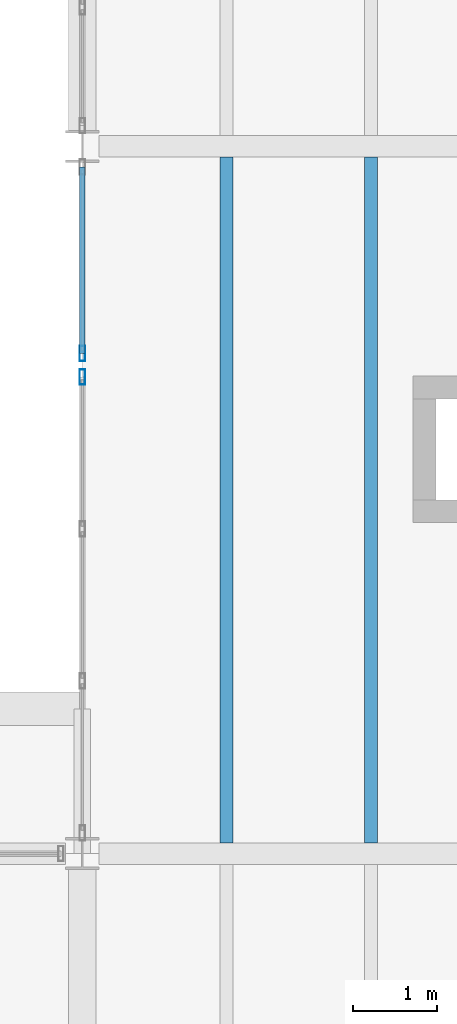
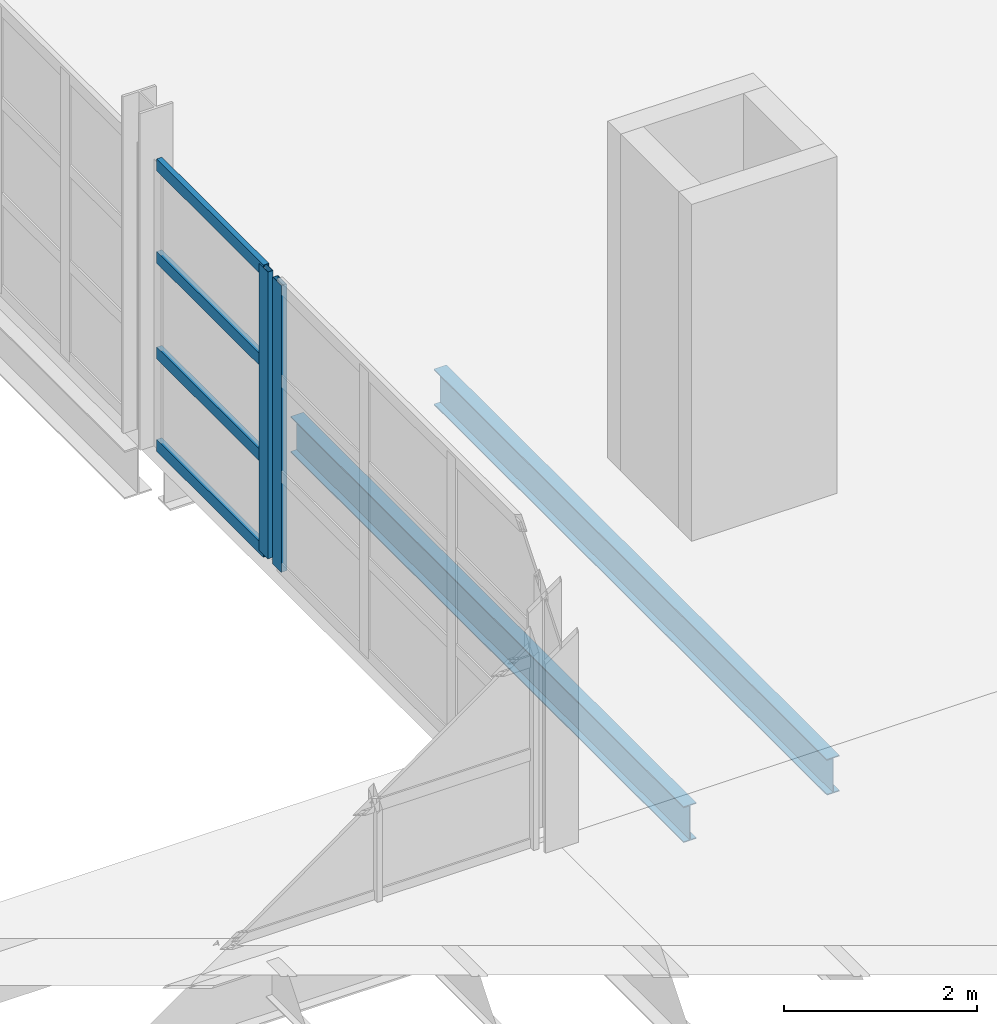
# One storey, part 49 of 114: 6 members, 2 beams, 2 elements without a shape of their own.
"""IFC4 building model written with IfcOpenShell, lengths in metres."""

import ifcopenshell
import ifcopenshell.guid

model = None  # the IFC model being written
_history = None  # IfcOwnerHistory: only IFC2X3 demands one
_inside = {}  # id of a spatial element -> (the spatial element, [elements in it])
_under = {}  # id of a project, library or spatial element -> (it, [spatial elements below it])
_declared = {}  # id of a project -> (the project, [libraries it declares])
_typed = {}  # id of a type object -> (the type object, [elements of that type])
_made_of = {}  # id of a material, layer set ... -> (it, [elements and type objects made of it])


def new_model(schema):
    """Start an empty IFC model of exactly this schema.

    Asked for "IFC4X3", IfcOpenShell would pick the latest addendum, in which some entities
    have other attributes; the version numbers below select the first issue.
    IFC2X3 requires an IfcOwnerHistory on every rooted entity: one is made here for all.
    """
    global model, _history
    if schema == "IFC4X3":
        model = ifcopenshell.file(schema_version=(4, 3, 0, 0))
    else:
        model = ifcopenshell.file(schema=schema)
    _inside.clear()
    _under.clear()
    _declared.clear()
    _typed.clear()
    _made_of.clear()
    _history = None
    if model.schema == "IFC2X3":
        org = make("IfcOrganization", Name="unknown")
        user = make(
            "IfcPersonAndOrganization",
            ThePerson=make("IfcPerson", FamilyName="unknown"),
            TheOrganization=org,
        )
        app = make(
            "IfcApplication",
            ApplicationDeveloper=org,
            Version="unknown",
            ApplicationFullName="unknown",
            ApplicationIdentifier="unknown",
        )
        _history = make(
            "IfcOwnerHistory",
            OwningUser=user,
            OwningApplication=app,
            ChangeAction="ADDED",
            CreationDate=0,
        )
    return model


def make(cls, **values):
    """One entity of the class cls with the attributes given. An attribute that is None is left unset."""
    return model.create_entity(
        cls, **{name: value for name, value in values.items() if value is not None}
    )


def rooted(cls, **values):
    """An entity with a GlobalId (a new one), such as an element, a storey or a relation."""
    return make(cls, GlobalId=ifcopenshell.guid.new(), OwnerHistory=_history, **values)


def si_unit(unit_type, name, prefix=None):
    """IfcSIUnit, for example si_unit("LENGTHUNIT", "METRE", prefix="MILLI")."""
    return make("IfcSIUnit", UnitType=unit_type, Prefix=prefix, Name=name)


def assignment(units):
    """IfcUnitAssignment: the units of a project."""
    return None if units is None else make("IfcUnitAssignment", Units=units)


def point(xyz):
    """IfcCartesianPoint."""
    return None if xyz is None else make("IfcCartesianPoint", Coordinates=xyz)


def direction(xyz):
    """IfcDirection."""
    return None if xyz is None else make("IfcDirection", DirectionRatios=xyz)


def frame(location, z_axis=None, x_axis=None):
    """IfcAxis2Placement3D, a coordinate frame: its origin and axes. An axis left out is left unset."""
    return make(
        "IfcAxis2Placement3D",
        Location=point(location),
        Axis=direction(z_axis),
        RefDirection=direction(x_axis),
    )


def frame_2d(location, x_axis=None):
    """IfcAxis2Placement2D, a coordinate frame in the plane: its origin and x axis."""
    return make(
        "IfcAxis2Placement2D", Location=point(location), RefDirection=direction(x_axis)
    )


def origin():
    """The frame at (0, 0, 0) with its axes left unset."""
    return frame((0.0, 0.0, 0.0))


def origin_2d():
    """The frame at (0, 0) in the plane with its x axis left unset."""
    return frame_2d((0.0, 0.0))


def place(relative_to, where):
    """IfcLocalPlacement: puts the frame where relative to a parent placement (None: the world)."""
    return make(
        "IfcLocalPlacement", PlacementRelTo=relative_to, RelativePlacement=where
    )


def context(
    kind, dimensions, precision=None, world=None, true_north=None, identifier=None
):
    """IfcGeometricRepresentationContext, for example the 3D "Model" context."""
    return make(
        "IfcGeometricRepresentationContext",
        ContextIdentifier=identifier,
        ContextType=kind,
        CoordinateSpaceDimension=dimensions,
        Precision=precision,
        WorldCoordinateSystem=world,
        TrueNorth=true_north,
    )


def subcontext(parent, identifier, kind, view, scale=None):
    """IfcGeometricRepresentationSubContext, for example "Body" below "Model"."""
    return make(
        "IfcGeometricRepresentationSubContext",
        ContextIdentifier=identifier,
        ContextType=kind,
        ParentContext=parent,
        TargetScale=scale,
        TargetView=view,
    )


def project(units=None, contexts=None):
    """IfcProject with its units and contexts."""
    return rooted(
        "IfcProject",
        Name="project",
        RepresentationContexts=contexts,
        UnitsInContext=assignment(units),
    )


def spatial(cls, under=None, at=None, **own):
    """A site, building, storey or space (cls), placed at a placement, below another one or the project."""
    s = rooted(cls, ObjectPlacement=at, **own)
    if under is not None:
        _under.setdefault(under.id(), (under, []))[1].append(s)
    return s


def profile(cls, at=None, kind="AREA", **sizes):
    """A parametric profile (cls). Its sizes go by their IFC names, for example OverallWidth=200.0."""
    return make(cls, ProfileType=kind, Position=at, **sizes)


def hollow_rectangle(**sizes):
    """IfcRectangleHollowProfileDef."""
    return profile("IfcRectangleHollowProfileDef", **sizes)


def i_section(**sizes):
    """IfcIShapeProfileDef."""
    return profile("IfcIShapeProfileDef", **sizes)


def extrude(swept, where, along, depth):
    """IfcExtrudedAreaSolid: the profile swept, set in the frame where, extruded along a direction by depth."""
    return make(
        "IfcExtrudedAreaSolid",
        SweptArea=swept,
        Position=where,
        ExtrudedDirection=direction(along),
        Depth=depth,
    )


def shape(context_of_items, identifier, shape_type, items):
    """IfcShapeRepresentation: the items that make up one representation, for example the "Body"."""
    return make(
        "IfcShapeRepresentation",
        ContextOfItems=context_of_items,
        RepresentationIdentifier=identifier,
        RepresentationType=shape_type,
        Items=items,
    )


def material(Name=None, Category=None):
    """IfcMaterial."""
    return make("IfcMaterial", Name=Name, Category=Category)


def material_profile(
    of_material, cross_section, Name=None, Category=None, Priority=None
):
    """IfcMaterialProfile: a cross section and its material."""
    return make(
        "IfcMaterialProfile",
        Name=Name,
        Material=of_material,
        Profile=cross_section,
        Priority=Priority,
        Category=Category,
    )


def profile_set(profiles, Name=None, composite=None):
    """IfcMaterialProfileSet."""
    return make(
        "IfcMaterialProfileSet",
        Name=Name,
        MaterialProfiles=profiles,
        CompositeProfile=composite,
    )


def made_of(thing, what):
    """Note that an element or type object is made of a material, layer set ...; save() writes the relation."""
    if what is not None:
        _made_of.setdefault(what.id(), (what, []))[1].append(thing)
    return thing


def type_object(cls, material=None, **own):
    """A type object (cls), such as IfcWallType, which elements share."""
    return made_of(rooted(cls, **own), material)


def element(
    cls,
    number,
    at=None,
    inside=None,
    cuts=None,
    type_object=None,
    material=None,
    context=None,
    identifier="Body",
    shape_type=None,
    held_by="IfcProductDefinitionShape",
    body=None,
    shapes=None,
    **own,
):
    """One element of the class cls, such as IfcWall. Its Tag is "e" and its number.

    at: its placement. inside: the storey or other place that contains it. cuts: it is an
    opening in that element (IfcRelVoidsElement). A single representation is given by context,
    identifier, shape_type and body (its items); several are given by shapes. held_by: the class
    of the entity that holds the representations. save() writes the other relations.
    """
    e = rooted(cls, Tag="e%d" % number, ObjectPlacement=at, **own)
    if body is not None:
        shapes = [shape(context, identifier, shape_type, body)]
    if shapes is not None:
        e.Representation = make(held_by, Representations=shapes)
    if inside is not None:
        _inside.setdefault(inside.id(), (inside, []))[1].append(e)
    if cuts is not None:
        rooted(
            "IfcRelVoidsElement", RelatingBuildingElement=cuts, RelatedOpeningElement=e
        )
    if type_object is not None:
        _typed.setdefault(type_object.id(), (type_object, []))[1].append(e)
    return made_of(e, material)


def aggregate(whole, parts):
    """IfcRelAggregates: a whole, such as a stair, and the parts it consists of."""
    return rooted("IfcRelAggregates", RelatingObject=whole, RelatedObjects=parts)


def save(model, path):
    """Write the relations noted so far, then the file.

    IfcRelAggregates (storeys below a building ...), IfcRelContainedInSpatialStructure (elements
    in a storey), IfcRelDefinesByType, IfcRelAssociatesMaterial and IfcRelDeclares: one each for
    every whole, place, type object, material and project.
    """
    for whole, parts in _under.values():
        aggregate(whole, parts)
    for where, things in _inside.values():
        rooted(
            "IfcRelContainedInSpatialStructure",
            RelatedElements=things,
            RelatingStructure=where,
        )
    for kind, things in _typed.values():
        rooted("IfcRelDefinesByType", RelatedObjects=things, RelatingType=kind)
    for what, things in _made_of.values():
        rooted("IfcRelAssociatesMaterial", RelatedObjects=things, RelatingMaterial=what)
    for by, libraries in _declared.values():
        rooted("IfcRelDeclares", RelatingContext=by, RelatedDefinitions=libraries)
    model.write(path)


model = new_model("IFC4")

# Units and contexts
model_context = context("Model", 3, precision=1e-05, world=origin(), true_north=direction((0.0, 1.0)))
body_context = subcontext(model_context, "Body", "Model", "MODEL_VIEW")
ifc_project = project(units=[si_unit("LENGTHUNIT", "METRE"), si_unit("AREAUNIT", "SQUARE_METRE"), si_unit("VOLUMEUNIT", "CUBIC_METRE"), si_unit("PLANEANGLEUNIT", "RADIAN"), si_unit("MASSUNIT", "GRAM", prefix="KILO")], contexts=[model_context])

# Site, building, storey
site_placement = place(None, origin())
site = spatial("IfcSite", under=ifc_project, at=site_placement, CompositionType="ELEMENT")
building_placement = place(site_placement, origin())
building = spatial("IfcBuilding", under=site, at=building_placement, Name="Kelmvaro Bay Concert Hall", CompositionType="ELEMENT")
storey_placement = place(building_placement, frame((0.0, 0.0, 4.800048828125)))
storey = spatial("IfcBuildingStorey", under=building, at=storey_placement, Name="L01", CompositionType="ELEMENT", Elevation=4.800048828125)

# Curtain wall, member
ifc_material_1 = material(Name="Anodised Aluminium and Low-E Insulated Glazing", Category="aluminium")
curtain_wall_type = type_object("IfcCurtainWallType", Name="Mezzanine Concourse Curtain Wall 4100", PredefinedType="USERDEFINED", material=ifc_material_1)
curtain_wall_1_placement = place(storey_placement, origin())
curtain_wall_1 = element("IfcCurtainWall", 1, at=curtain_wall_1_placement, inside=storey, type_object=curtain_wall_type, Name="Unitised Curtain Wall CW-L01-109", ObjectType="UNITISED GLAZING", PredefinedType="USERDEFINED")
ifc_material_2 = material(Name="Anodised Extruded Aluminium 6063-T6", Category="aluminium")
ifc_material_profile_1 = material_profile(ifc_material_2, hollow_rectangle(XDim=0.06494140625, YDim=0.179931640625, WallThickness=0.00390625, at=origin_2d()), Name="ALU-MUL-180X65")
ifc_profile_set_1 = profile_set([ifc_material_profile_1], Name="Anodised Extruded Aluminium 6063-T6")
member_type_1 = type_object("IfcMemberType", Name="Curtain Mullion ALU 180x65", PredefinedType="MULLION", material=ifc_profile_set_1)
member_1_placement = place(storey_placement, frame((108.0, 44.659912109375, 0.0), z_axis=(0.0, 0.0, 1.0), x_axis=(1.0, 0.0, 0.0)))
member_1 = element("IfcMember", 2, at=member_1_placement, type_object=member_type_1, Name="CW-L01-109 Mullion 04", PredefinedType="MULLION", context=body_context, shape_type="SweptSolid", body=[
    extrude(hollow_rectangle(XDim=0.06494140625, YDim=0.179931640625, WallThickness=0.00390625, at=origin_2d()), origin(), (0.0, 0.0, 1.0), 3.6279296875),
])
aggregate(curtain_wall_1, [member_1])

# Curtain wall, members
curtain_wall_2_placement = place(storey_placement, origin())
curtain_wall_2 = element("IfcCurtainWall", 3, at=curtain_wall_2_placement, inside=storey, type_object=curtain_wall_type, Name="Unitised Curtain Wall CW-L01-111", ObjectType="UNITISED GLAZING", PredefinedType="USERDEFINED")
member_2_placement = place(storey_placement, frame((108.0, 44.93994140625, 0.0), z_axis=(0.0, 0.0, 1.0), x_axis=(1.0, 0.0, 0.0)))
member_2 = element("IfcMember", 4, at=member_2_placement, type_object=member_type_1, Name="CW-L01-111 Mullion 01", PredefinedType="MULLION", context=body_context, shape_type="SweptSolid", body=[
    extrude(hollow_rectangle(XDim=0.06494140625, YDim=0.179931640625, WallThickness=0.00390625, at=origin_2d()), origin(), (0.0, 0.0, 1.0), 3.6279296875),
])
ifc_material_3 = material(Name="Anodised Extruded Aluminium 6063-T6", Category="aluminium")
ifc_material_profile_2 = material_profile(ifc_material_3, hollow_rectangle(XDim=0.06494140625, YDim=0.14990234375, WallThickness=0.00390625, at=origin_2d()), Name="ALU-TRN-150X65")
ifc_profile_set_2 = profile_set([ifc_material_profile_2], Name="Anodised Extruded Aluminium 6063-T6")
member_type_2 = type_object("IfcMemberType", Name="Curtain Transom ALU 150x65", PredefinedType="USERDEFINED", material=ifc_profile_set_2)
member_3_placement = place(storey_placement, frame((108.0, 44.93994140625, 0.0400390625), z_axis=(0.0, 1.0, 0.0), x_axis=(-1.0, 0.0, 0.0)))
member_3 = element("IfcMember", 5, at=member_3_placement, type_object=member_type_2, Name="CW-L01-111 Transom 01", ObjectType="TRANSOM", PredefinedType="USERDEFINED", context=body_context, shape_type="SweptSolid", body=[
    extrude(hollow_rectangle(XDim=0.06494140625, YDim=0.14990234375, WallThickness=0.00390625, at=origin_2d()), origin(), (0.0, 0.0, 1.0), 2.214599609375),
])
member_4_placement = place(storey_placement, frame((108.0, 44.93994140625, 1.209228515625), z_axis=(0.0, 1.0, 0.0), x_axis=(-1.0, 0.0, 0.0)))
member_4 = element("IfcMember", 6, at=member_4_placement, type_object=member_type_2, Name="CW-L01-111 Transom 02", ObjectType="TRANSOM", PredefinedType="USERDEFINED", context=body_context, shape_type="SweptSolid", body=[
    extrude(hollow_rectangle(XDim=0.06494140625, YDim=0.14990234375, WallThickness=0.00390625, at=origin_2d()), origin(), (0.0, 0.0, 1.0), 2.214599609375),
])
member_5_placement = place(storey_placement, frame((108.0, 44.93994140625, 2.418701171875), z_axis=(0.0, 1.0, 0.0), x_axis=(-1.0, 0.0, 0.0)))
member_5 = element("IfcMember", 7, at=member_5_placement, type_object=member_type_2, Name="CW-L01-111 Transom 03", ObjectType="TRANSOM", PredefinedType="USERDEFINED", context=body_context, shape_type="SweptSolid", body=[
    extrude(hollow_rectangle(XDim=0.06494140625, YDim=0.14990234375, WallThickness=0.00390625, at=origin_2d()), origin(), (0.0, 0.0, 1.0), 2.214599609375),
])
member_6_placement = place(storey_placement, frame((108.0, 44.93994140625, 3.587890625), z_axis=(0.0, 1.0, 0.0), x_axis=(-1.0, 0.0, 0.0)))
member_6 = element("IfcMember", 8, at=member_6_placement, type_object=member_type_2, Name="CW-L01-111 Transom 04", ObjectType="TRANSOM", PredefinedType="USERDEFINED", context=body_context, shape_type="SweptSolid", body=[
    extrude(hollow_rectangle(XDim=0.06494140625, YDim=0.14990234375, WallThickness=0.00390625, at=origin_2d()), origin(), (0.0, 0.0, 1.0), 2.214599609375),
])
aggregate(curtain_wall_2, [member_2, member_3, member_4, member_5, member_6])

# Beams
ifc_material_4 = material(Name="Steel ASTM A992 Grade 50", Category="steel")
ifc_material_profile_3 = material_profile(ifc_material_4, i_section(OverallWidth=0.152099609375, OverallDepth=0.455078125, WebThickness=0.008056640625, FlangeThickness=0.01318359375, at=origin_2d()), Name="W18X40")
ifc_profile_set_3 = profile_set([ifc_material_profile_3], Name="Steel ASTM A992 Grade 50")
beam_type = type_object("IfcBeamType", Name="Foyer Concourse Floor Joist W18x40", PredefinedType="JOIST", material=ifc_profile_set_3)
for number, where, z_axis, x_axis, name in (
    (9, (109.71435546875, 39.1279296875, -0.4775390625), (0.0, 1.0, 0.0), (-1.0, 0.0, 0.0), "L01 Floor Joist JST-L01-0450"),
    (10, (111.4287109375, 39.1279296875, -0.4775390625), (0.0, 1.0, 0.0), (-1.0, 0.0, 0.0), "L01 Floor Joist JST-L01-0451"),
):
    element("IfcBeam", number, at=place(storey_placement, frame(where, z_axis=z_axis, x_axis=x_axis)), inside=storey, type_object=beam_type, Name=name, PredefinedType="JOIST", context=body_context, shape_type="SweptSolid", body=[
        extrude(i_section(OverallWidth=0.152099609375, OverallDepth=0.455078125, WebThickness=0.008056640625, FlangeThickness=0.01318359375, at=origin_2d()), origin(), (0.0, 0.0, 1.0), 8.14404296875),
    ])

save(model, "model.ifc")
